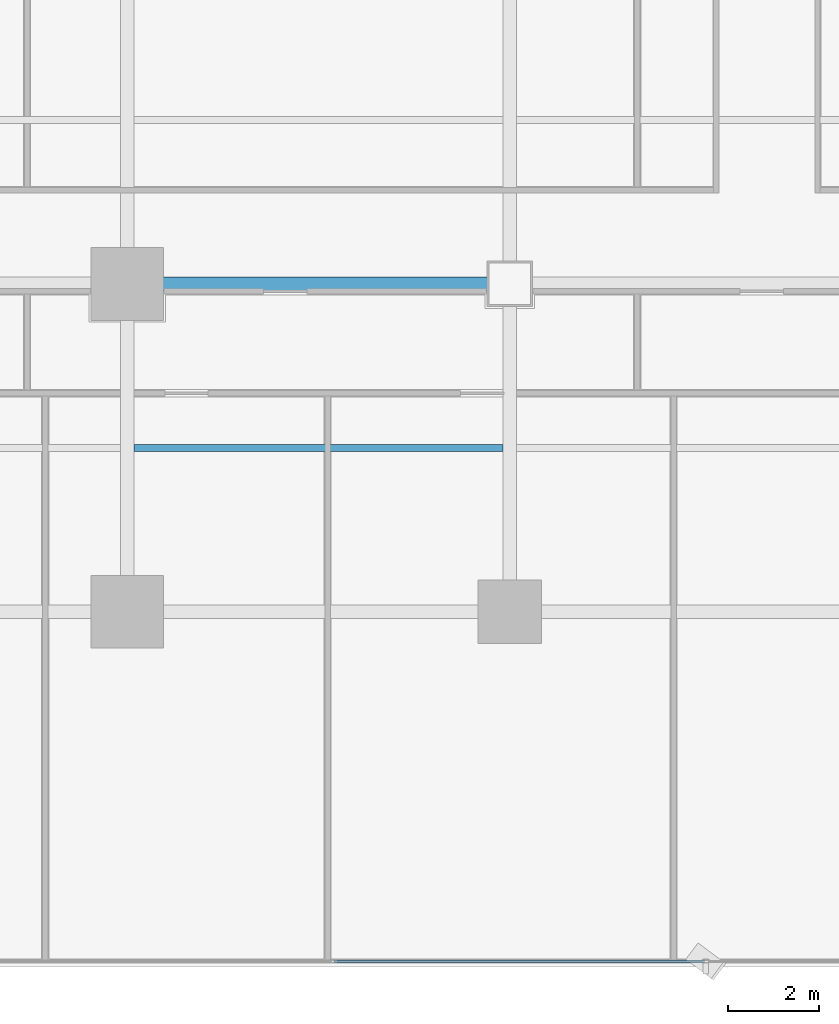
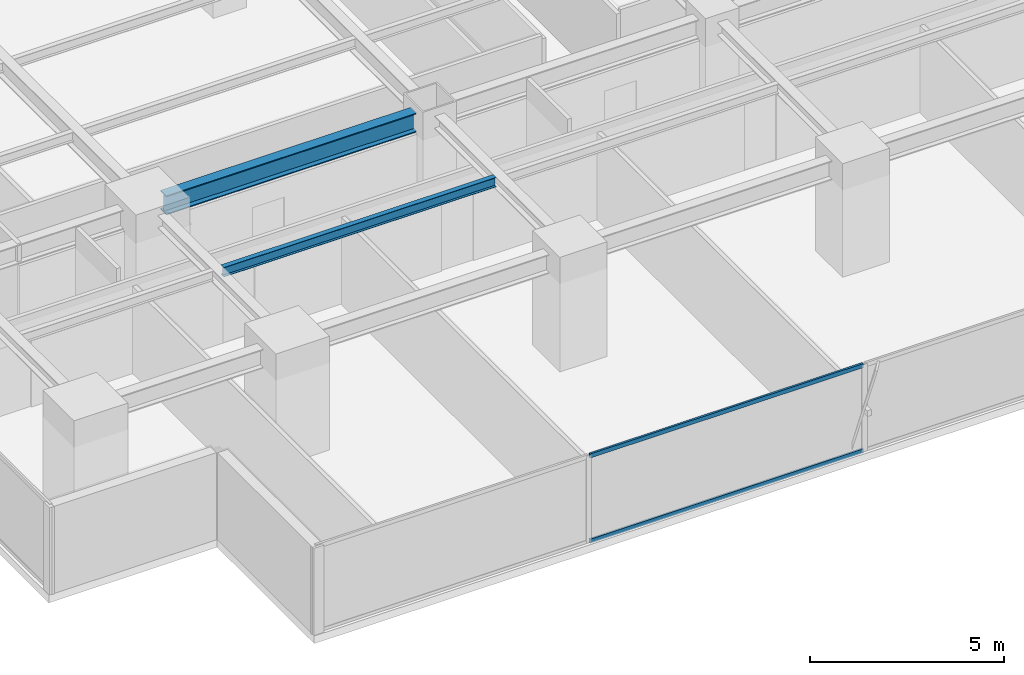
# One storey, part 5 of 37: 2 beams, 2 members, 1 element without a shape of its own.
"""IFC4 building model written with IfcOpenShell, lengths in metres."""

from ifc_helpers import new_model, si_unit, direction, frame, origin, origin_2d, place, context, subcontext, project, spatial, hollow_rectangle, i_section, extrude, source, transform, mapped, material, layer, layer_set, material_profile, profile_set, type_object, element, aggregate, save


model = new_model("IFC4")

# Units and contexts
model_context = context("Model", 3, precision=1e-05, world=origin(), true_north=direction((0.0, 1.0)))
body_context = subcontext(model_context, "Body", "Model", "MODEL_VIEW")
ifc_project = project(units=[si_unit("LENGTHUNIT", "METRE"), si_unit("AREAUNIT", "SQUARE_METRE"), si_unit("VOLUMEUNIT", "CUBIC_METRE"), si_unit("PLANEANGLEUNIT", "RADIAN"), si_unit("MASSUNIT", "GRAM", prefix="KILO")], contexts=[model_context])

# Site, building, storey
site_placement = place(None, origin())
site = spatial("IfcSite", under=ifc_project, at=site_placement, CompositionType="ELEMENT")
building_placement = place(site_placement, origin())
building = spatial("IfcBuilding", under=site, at=building_placement, Name="Sumidabori Civic Tower", CompositionType="ELEMENT")
storey_placement = place(building_placement, frame((0.0, 0.0, 81.199951171875)))
storey = spatial("IfcBuildingStorey", under=building, at=storey_placement, Name="L20", CompositionType="ELEMENT", Elevation=81.199951171875)

# Beams
ifc_material_1 = material(Name="Steel SN490", Category="steel")
ifc_material_profile_1 = material_profile(ifc_material_1, i_section(OverallWidth=0.300048828125, OverallDepth=0.60009765625, WebThickness=0.015380859375, FlangeThickness=0.030029296875, at=origin_2d()), Name="HE 600 B")
ifc_profile_set_1 = profile_set([ifc_material_profile_1], Name="Steel SN490")
beam_type_1 = type_object("IfcBeamType", Name="BM-GIRD-600", PredefinedType="BEAM", material=ifc_profile_set_1)
shared_shape_1 = source(origin(), body_context, "Body", "SweptSolid", [
    extrude(i_section(OverallWidth=0.300048828125, OverallDepth=0.60009765625, WebThickness=0.015380859375, FlangeThickness=0.030029296875, at=origin_2d()), origin(), (0.0, 0.0, 1.0), 7.440185546875),
])
beam_1_placement = place(storey_placement, frame((-16.320068359375, -10.800048828125, 3.06005859375), z_axis=(1.0, 0.0, 0.0), x_axis=(0.0, 1.0, 0.0)))
element("IfcBeam", 1, at=beam_1_placement, inside=storey, type_object=beam_type_1, Name="Primary Girder L20 GX-08", PredefinedType="BEAM", context=body_context, shape_type="MappedRepresentation", body=[
    mapped(shared_shape_1, transform((0.0, 0.0, 0.0), x_axis=(1.0, 0.0, 0.0), y_axis=(0.0, 1.0, 0.0), z_axis=(0.0, 0.0, 1.0), scale=1.0)),
])
ifc_material_profile_2 = material_profile(ifc_material_1, i_section(OverallWidth=0.14990234375, OverallDepth=0.300048828125, WebThickness=0.007080078125, FlangeThickness=0.0107421875, at=origin_2d()), Name="IPE 300")
ifc_profile_set_2 = profile_set([ifc_material_profile_2], Name="Steel SN490")
beam_type_2 = type_object("IfcBeamType", Name="BM-JST-300", PredefinedType="JOIST", material=ifc_profile_set_2)
shared_shape_2 = source(origin(), body_context, "Body", "SweptSolid", [
    extrude(i_section(OverallWidth=0.14990234375, OverallDepth=0.300048828125, WebThickness=0.007080078125, FlangeThickness=0.0107421875, at=origin_2d()), origin(), (0.0, 0.0, 1.0), 8.099853515625),
])
beam_2_placement = place(storey_placement, frame((-16.64990234375, -14.39990234375, 3.2099609375), z_axis=(1.0, 0.0, 0.0), x_axis=(0.0, 1.0, 0.0)))
element("IfcBeam", 2, at=beam_2_placement, inside=storey, type_object=beam_type_2, Name="South Bay Floor Joist L20 JSTS-55", PredefinedType="JOIST", context=body_context, shape_type="MappedRepresentation", body=[
    mapped(shared_shape_2, transform((0.0, 0.0, 0.0), x_axis=(1.0, 0.0, 0.0), y_axis=(0.0, 1.0, 0.0), z_axis=(0.0, 0.0, 1.0), scale=1.0)),
])

# Curtain wall, members
ifc_material_2 = material(Name="Anodised Bronze Aluminium AW-6063-T6", Category="aluminium")
ifc_layer = layer(ifc_material_2, 0.179931640625, Name="Anodised Bronze Aluminium AW-6063-T6")
ifc_layer_set = layer_set([ifc_layer], Name="Anodised Bronze Aluminium AW-6063-T6")
curtain_wall_type = type_object("IfcCurtainWallType", Name="CW-SYS-3", PredefinedType="NOTDEFINED", material=ifc_layer_set)
curtain_wall_placement = place(storey_placement, origin())
curtain_wall = element("IfcCurtainWall", 3, at=curtain_wall_placement, inside=storey, type_object=curtain_wall_type, Name="Curtain Wall CW:L20:R01", PredefinedType="NOTDEFINED")
ifc_material_profile_3 = material_profile(ifc_material_2, hollow_rectangle(XDim=0.06005859375, YDim=0.1298828125, WallThickness=0.0048828125, at=origin_2d()), Name="ALU TRANSOM 130x60")
ifc_profile_set_3 = profile_set([ifc_material_profile_3], Name="Anodised Bronze Aluminium AW-6063-T6")
member_type = type_object("IfcMemberType", Name="CW-TRN-130", PredefinedType="USERDEFINED", material=ifc_profile_set_3)
shared_shape_3 = source(origin(), body_context, "Body", "SweptSolid", [
    extrude(hollow_rectangle(XDim=0.06005859375, YDim=0.1298828125, WallThickness=0.0048828125, at=origin_2d()), origin(), (0.0, 0.0, 1.0), 8.123046875),
])
member_1_placement = place(storey_placement, frame((-12.24951171875, -25.679931640625, 0.030029296875), z_axis=(1.0, 0.0, 0.0), x_axis=(0.0, 1.0, 0.0)))
member_1 = element("IfcMember", 4, at=member_1_placement, type_object=member_type, Name="CW-3 transom 2.1", ObjectType="TRANSOM", PredefinedType="USERDEFINED", context=body_context, shape_type="MappedRepresentation", body=[
    mapped(shared_shape_3, transform((0.0, 0.0, 0.0), x_axis=(1.0, 0.0, 0.0), y_axis=(0.0, 1.0, 0.0), z_axis=(0.0, 0.0, 1.0), scale=1.0)),
])
member_2_placement = place(storey_placement, frame((-12.24951171875, -25.679931640625, 2.7099609375), z_axis=(1.0, 0.0, 0.0), x_axis=(0.0, 1.0, 0.0)))
member_2 = element("IfcMember", 5, at=member_2_placement, type_object=member_type, Name="CW-3 transom 2.2", ObjectType="TRANSOM", PredefinedType="USERDEFINED", context=body_context, shape_type="MappedRepresentation", body=[
    mapped(shared_shape_3, transform((0.0, 0.0, 0.0), x_axis=(1.0, 0.0, 0.0), y_axis=(0.0, 1.0, 0.0), z_axis=(0.0, 0.0, 1.0), scale=1.0)),
])
aggregate(curtain_wall, [member_1, member_2])

save(model, "model.ifc")
